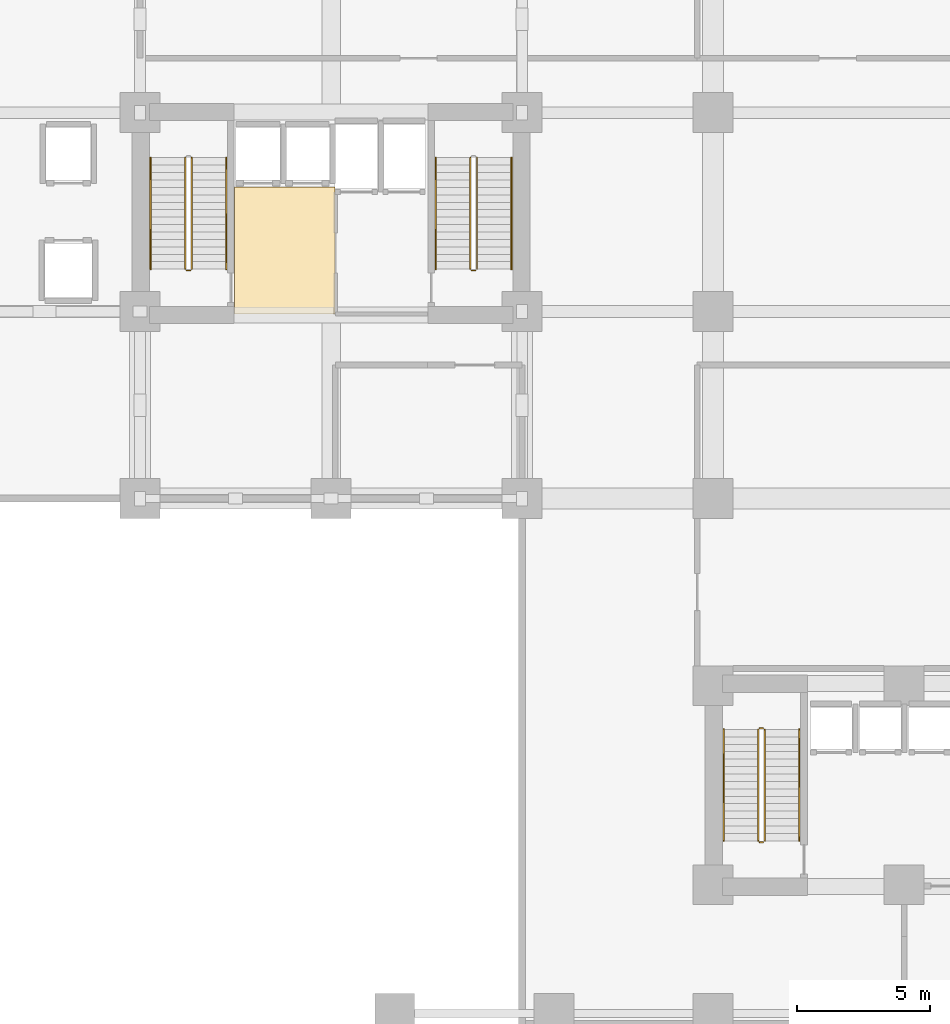
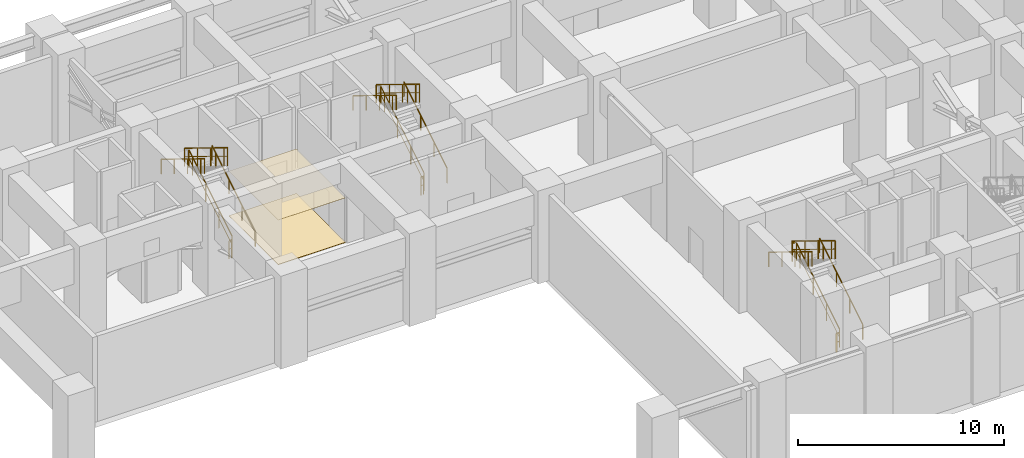
# One storey, part 7 of 9: 16 railings, 2 coverings.
"""IFC4 building model written with IfcOpenShell, lengths in metres."""

from ifc_helpers import new_model, si_unit, direction, frame, origin, origin_2d, place, context, subcontext, project, spatial, rectangle, extrude, source, transform, mapped, material, layer, layer_set, type_object, element, save


model = new_model("IFC4")

# Units and contexts
model_context = context("Model", 3, precision=1e-05, world=origin(), true_north=direction((0.0, 1.0)))
body_context = subcontext(model_context, "Body", "Model", "MODEL_VIEW")
ifc_project = project(units=[si_unit("LENGTHUNIT", "METRE"), si_unit("AREAUNIT", "SQUARE_METRE"), si_unit("VOLUMEUNIT", "CUBIC_METRE"), si_unit("PLANEANGLEUNIT", "RADIAN"), si_unit("MASSUNIT", "GRAM", prefix="KILO")], contexts=[model_context])

# Site, building, storey
site_placement = place(None, origin())
site = spatial("IfcSite", under=ifc_project, at=site_placement, CompositionType="ELEMENT")
building_placement = place(site_placement, origin())
building = spatial("IfcBuilding", under=site, at=building_placement, Name="Kaliganga Portal Commons", CompositionType="ELEMENT")
storey_placement = place(building_placement, frame((0.0, 0.0, 19.800048828125)))
storey = spatial("IfcBuildingStorey", under=building, at=storey_placement, Name="L04", CompositionType="ELEMENT", Elevation=19.800048828125)

# Railings
ifc_material_1 = material(Name="Galvanized Painted Steel Balustrade", Category="steel")
railing_type_1 = type_object("IfcRailingType", Name="RLG-STAIR-GRD", PredefinedType="GUARDRAIL", material=ifc_material_1)
railing_1_placement = place(storey_placement, frame((16.35009765625, 30.25, 0.171875)))
element("IfcRailing", 1, at=railing_1_placement, inside=storey, type_object=railing_type_1, Name="L04 ST-A1 stair guard 1", PredefinedType="GUARDRAIL", context=body_context, shape_type="SweptSolid", body=[
    extrude(rectangle(XDim=0.048095703125, YDim=0.048095703125, at=origin_2d()), frame((0.0, 0.0, 1.07177734375), z_axis=(0.0, 0.852242915053, 0.523146264196), x_axis=(-1.0, 0.0, 0.0)), (0.0, 0.0, 1.0), 4.92822265625),
    extrude(rectangle(XDim=0.028076171875, YDim=0.028076171875, at=origin_2d()), frame((0.0, 0.0, 0.572021484375), z_axis=(0.0, 0.852242915053, 0.523146264196), x_axis=(-1.0, 0.0, 0.0)), (0.0, 0.0, 1.0), 4.92822265625),
    extrude(rectangle(XDim=0.0419921875, YDim=0.0419921875, at=origin_2d()), origin(), (0.0, 0.0, 1.0), 1.052001953125),
    extrude(rectangle(XDim=0.0419921875, YDim=0.0419921875, at=origin_2d()), frame((0.0, 1.2783203125, 0.78466796875)), (0.0, 0.0, 1.0), 1.052001953125),
    extrude(rectangle(XDim=0.0419921875, YDim=0.0419921875, at=origin_2d()), frame((0.0, 2.556640625, 1.5693359375)), (0.0, 0.0, 1.0), 1.052001953125),
    extrude(rectangle(XDim=0.0419921875, YDim=0.0419921875, at=origin_2d()), frame((0.0, 3.835205078125, 2.354248046875)), (0.0, 0.0, 1.0), 1.052001953125),
    extrude(rectangle(XDim=0.0419921875, YDim=0.0419921875, at=origin_2d()), frame((0.0, 4.199951171875, 2.578125)), (0.0, 0.0, 1.0), 1.052001953125),
])
railing_2_placement = place(storey_placement, frame((16.10009765625, 34.449951171875, 2.921875)))
element("IfcRailing", 2, at=railing_2_placement, inside=storey, type_object=railing_type_1, Name="L04 ST-A1 stair guard 3", PredefinedType="GUARDRAIL", context=body_context, shape_type="SweptSolid", body=[
    extrude(rectangle(XDim=0.048095703125, YDim=0.048095703125, at=origin_2d()), frame((0.0, 0.0, 1.07177734375), z_axis=(0.0, -0.852242915053, 0.523146264196), x_axis=(1.0, 0.0, 0.0)), (0.0, 0.0, 1.0), 4.92822265625),
    extrude(rectangle(XDim=0.028076171875, YDim=0.028076171875, at=origin_2d()), frame((0.0, 0.0, 0.572021484375), z_axis=(0.0, -0.852242915053, 0.523146264196), x_axis=(1.0, 0.0, 0.0)), (0.0, 0.0, 1.0), 4.92822265625),
    extrude(rectangle(XDim=0.0419921875, YDim=0.0419921875, at=origin_2d()), origin(), (0.0, 0.0, 1.0), 1.052001953125),
    extrude(rectangle(XDim=0.0419921875, YDim=0.0419921875, at=origin_2d()), frame((0.0, -1.2783203125, 0.78466796875)), (0.0, 0.0, 1.0), 1.052001953125),
    extrude(rectangle(XDim=0.0419921875, YDim=0.0419921875, at=origin_2d()), frame((0.0, -2.556640625, 1.5693359375)), (0.0, 0.0, 1.0), 1.052001953125),
    extrude(rectangle(XDim=0.0419921875, YDim=0.0419921875, at=origin_2d()), frame((0.0, -3.835205078125, 2.354248046875)), (0.0, 0.0, 1.0), 1.052001953125),
    extrude(rectangle(XDim=0.0419921875, YDim=0.0419921875, at=origin_2d()), frame((0.0, -4.199951171875, 2.578125)), (0.0, 0.0, 1.0), 1.052001953125),
])
railing_3_placement = place(storey_placement, frame((16.300048828125, 30.199951171875, 0.0)))
element("IfcRailing", 3, at=railing_3_placement, inside=storey, type_object=railing_type_1, Name="L04 ST-A1 stair guard 4", PredefinedType="GUARDRAIL", context=body_context, shape_type="SweptSolid", body=[
    extrude(rectangle(XDim=0.048095703125, YDim=0.048095703125, at=origin_2d()), frame((0.0, 0.0, 1.076171875), z_axis=(-1.0, 0.0, 0.0), x_axis=(0.0, -1.0, 0.0)), (0.0, 0.0, 1.0), 0.150146484375),
    extrude(rectangle(XDim=0.028076171875, YDim=0.028076171875, at=origin_2d()), frame((0.0, 0.0, 0.572021484375), z_axis=(-1.0, 0.0, 0.0), x_axis=(0.0, -1.0, 0.0)), (0.0, 0.0, 1.0), 0.150146484375),
    extrude(rectangle(XDim=0.0419921875, YDim=0.0419921875, at=origin_2d()), origin(), (0.0, 0.0, 1.0), 1.052001953125),
    extrude(rectangle(XDim=0.0419921875, YDim=0.0419921875, at=origin_2d()), frame((-0.150146484375, 0.0, 0.0)), (0.0, 0.0, 1.0), 1.052001953125),
])
railing_4_placement = place(storey_placement, frame((27.10009765625, 30.25, 0.171875)))
element("IfcRailing", 4, at=railing_4_placement, inside=storey, type_object=railing_type_1, Name="L04 ST-A2 stair guard 1", PredefinedType="GUARDRAIL", context=body_context, shape_type="SweptSolid", body=[
    extrude(rectangle(XDim=0.048095703125, YDim=0.048095703125, at=origin_2d()), frame((0.0, 0.0, 1.07177734375), z_axis=(0.0, 0.852242915053, 0.523146264196), x_axis=(-1.0, 0.0, 0.0)), (0.0, 0.0, 1.0), 4.92822265625),
    extrude(rectangle(XDim=0.028076171875, YDim=0.028076171875, at=origin_2d()), frame((0.0, 0.0, 0.572021484375), z_axis=(0.0, 0.852242915053, 0.523146264196), x_axis=(-1.0, 0.0, 0.0)), (0.0, 0.0, 1.0), 4.92822265625),
    extrude(rectangle(XDim=0.0419921875, YDim=0.0419921875, at=origin_2d()), origin(), (0.0, 0.0, 1.0), 1.052001953125),
    extrude(rectangle(XDim=0.0419921875, YDim=0.0419921875, at=origin_2d()), frame((0.0, 1.2783203125, 0.78466796875)), (0.0, 0.0, 1.0), 1.052001953125),
    extrude(rectangle(XDim=0.0419921875, YDim=0.0419921875, at=origin_2d()), frame((0.0, 2.556640625, 1.5693359375)), (0.0, 0.0, 1.0), 1.052001953125),
    extrude(rectangle(XDim=0.0419921875, YDim=0.0419921875, at=origin_2d()), frame((0.0, 3.835205078125, 2.354248046875)), (0.0, 0.0, 1.0), 1.052001953125),
    extrude(rectangle(XDim=0.0419921875, YDim=0.0419921875, at=origin_2d()), frame((0.0, 4.199951171875, 2.578125)), (0.0, 0.0, 1.0), 1.052001953125),
])
railing_5_placement = place(storey_placement, frame((26.85009765625, 34.449951171875, 2.921875)))
element("IfcRailing", 5, at=railing_5_placement, inside=storey, type_object=railing_type_1, Name="L04 ST-A2 stair guard 3", PredefinedType="GUARDRAIL", context=body_context, shape_type="SweptSolid", body=[
    extrude(rectangle(XDim=0.048095703125, YDim=0.048095703125, at=origin_2d()), frame((0.0, 0.0, 1.07177734375), z_axis=(0.0, -0.852242915053, 0.523146264196), x_axis=(1.0, 0.0, 0.0)), (0.0, 0.0, 1.0), 4.92822265625),
    extrude(rectangle(XDim=0.028076171875, YDim=0.028076171875, at=origin_2d()), frame((0.0, 0.0, 0.572021484375), z_axis=(0.0, -0.852242915053, 0.523146264196), x_axis=(1.0, 0.0, 0.0)), (0.0, 0.0, 1.0), 4.92822265625),
    extrude(rectangle(XDim=0.0419921875, YDim=0.0419921875, at=origin_2d()), origin(), (0.0, 0.0, 1.0), 1.052001953125),
    extrude(rectangle(XDim=0.0419921875, YDim=0.0419921875, at=origin_2d()), frame((0.0, -1.2783203125, 0.78466796875)), (0.0, 0.0, 1.0), 1.052001953125),
    extrude(rectangle(XDim=0.0419921875, YDim=0.0419921875, at=origin_2d()), frame((0.0, -2.556640625, 1.5693359375)), (0.0, 0.0, 1.0), 1.052001953125),
    extrude(rectangle(XDim=0.0419921875, YDim=0.0419921875, at=origin_2d()), frame((0.0, -3.835205078125, 2.354248046875)), (0.0, 0.0, 1.0), 1.052001953125),
    extrude(rectangle(XDim=0.0419921875, YDim=0.0419921875, at=origin_2d()), frame((0.0, -4.199951171875, 2.578125)), (0.0, 0.0, 1.0), 1.052001953125),
])
railing_6_placement = place(storey_placement, frame((27.050048828125, 30.199951171875, 0.0)))
element("IfcRailing", 6, at=railing_6_placement, inside=storey, type_object=railing_type_1, Name="L04 ST-A2 stair guard 4", PredefinedType="GUARDRAIL", context=body_context, shape_type="SweptSolid", body=[
    extrude(rectangle(XDim=0.048095703125, YDim=0.048095703125, at=origin_2d()), frame((0.0, 0.0, 1.076171875), z_axis=(-1.0, 0.0, 0.0), x_axis=(0.0, -1.0, 0.0)), (0.0, 0.0, 1.0), 0.150146484375),
    extrude(rectangle(XDim=0.028076171875, YDim=0.028076171875, at=origin_2d()), frame((0.0, 0.0, 0.572021484375), z_axis=(-1.0, 0.0, 0.0), x_axis=(0.0, -1.0, 0.0)), (0.0, 0.0, 1.0), 0.150146484375),
    extrude(rectangle(XDim=0.0419921875, YDim=0.0419921875, at=origin_2d()), origin(), (0.0, 0.0, 1.0), 1.052001953125),
    extrude(rectangle(XDim=0.0419921875, YDim=0.0419921875, at=origin_2d()), frame((-0.150146484375, 0.0, 0.0)), (0.0, 0.0, 1.0), 1.052001953125),
])
railing_7_placement = place(storey_placement, frame((37.949951171875, 8.699951171875, 0.171875)))
element("IfcRailing", 7, at=railing_7_placement, inside=storey, type_object=railing_type_1, Name="L04 ST-B1 stair guard 1", PredefinedType="GUARDRAIL", context=body_context, shape_type="SweptSolid", body=[
    extrude(rectangle(XDim=0.048095703125, YDim=0.048095703125, at=origin_2d()), frame((0.0, 0.0, 1.07177734375), z_axis=(0.0, 0.852242915053, 0.523146264196), x_axis=(-1.0, 0.0, 0.0)), (0.0, 0.0, 1.0), 4.92822265625),
    extrude(rectangle(XDim=0.028076171875, YDim=0.028076171875, at=origin_2d()), frame((0.0, 0.0, 0.572021484375), z_axis=(0.0, 0.852242915053, 0.523146264196), x_axis=(-1.0, 0.0, 0.0)), (0.0, 0.0, 1.0), 4.92822265625),
    extrude(rectangle(XDim=0.0419921875, YDim=0.0419921875, at=origin_2d()), origin(), (0.0, 0.0, 1.0), 1.052001953125),
    extrude(rectangle(XDim=0.0419921875, YDim=0.0419921875, at=origin_2d()), frame((0.0, 1.2783203125, 0.78466796875)), (0.0, 0.0, 1.0), 1.052001953125),
    extrude(rectangle(XDim=0.0419921875, YDim=0.0419921875, at=origin_2d()), frame((0.0, 2.556640625, 1.5693359375)), (0.0, 0.0, 1.0), 1.052001953125),
    extrude(rectangle(XDim=0.0419921875, YDim=0.0419921875, at=origin_2d()), frame((0.0, 3.835205078125, 2.354248046875)), (0.0, 0.0, 1.0), 1.052001953125),
    extrude(rectangle(XDim=0.0419921875, YDim=0.0419921875, at=origin_2d()), frame((0.0, 4.199951171875, 2.578125)), (0.0, 0.0, 1.0), 1.052001953125),
])
railing_8_placement = place(storey_placement, frame((37.89990234375, 12.949951171875, 2.75)))
element("IfcRailing", 8, at=railing_8_placement, inside=storey, type_object=railing_type_1, Name="L04 ST-B1 stair guard 2", PredefinedType="GUARDRAIL", context=body_context, shape_type="SweptSolid", body=[
    extrude(rectangle(XDim=0.048095703125, YDim=0.048095703125, at=origin_2d()), frame((0.0, 0.0, 1.076171875), z_axis=(-1.0, 0.0, 0.0), x_axis=(0.0, -1.0, 0.0)), (0.0, 0.0, 1.0), 0.14990234375),
    extrude(rectangle(XDim=0.028076171875, YDim=0.028076171875, at=origin_2d()), frame((0.0, 0.0, 0.572021484375), z_axis=(-1.0, 0.0, 0.0), x_axis=(0.0, -1.0, 0.0)), (0.0, 0.0, 1.0), 0.14990234375),
    extrude(rectangle(XDim=0.0419921875, YDim=0.0419921875, at=origin_2d()), frame((-0.14990234375, 0.0, 0.0)), (0.0, 0.0, 1.0), 1.052001953125),
])
railing_9_placement = place(storey_placement, frame((37.699951171875, 12.89990234375, 2.921875)))
element("IfcRailing", 9, at=railing_9_placement, inside=storey, type_object=railing_type_1, Name="L04 ST-B1 stair guard 3", PredefinedType="GUARDRAIL", context=body_context, shape_type="SweptSolid", body=[
    extrude(rectangle(XDim=0.048095703125, YDim=0.048095703125, at=origin_2d()), frame((0.0, 0.0, 1.07177734375), z_axis=(0.0, -0.852242915053, 0.523146264196), x_axis=(1.0, 0.0, 0.0)), (0.0, 0.0, 1.0), 4.92822265625),
    extrude(rectangle(XDim=0.028076171875, YDim=0.028076171875, at=origin_2d()), frame((0.0, 0.0, 0.572021484375), z_axis=(0.0, -0.852242915053, 0.523146264196), x_axis=(1.0, 0.0, 0.0)), (0.0, 0.0, 1.0), 4.92822265625),
    extrude(rectangle(XDim=0.0419921875, YDim=0.0419921875, at=origin_2d()), origin(), (0.0, 0.0, 1.0), 1.052001953125),
    extrude(rectangle(XDim=0.0419921875, YDim=0.0419921875, at=origin_2d()), frame((0.0, -1.2783203125, 0.78466796875)), (0.0, 0.0, 1.0), 1.052001953125),
    extrude(rectangle(XDim=0.0419921875, YDim=0.0419921875, at=origin_2d()), frame((0.0, -2.556640625, 1.5693359375)), (0.0, 0.0, 1.0), 1.052001953125),
    extrude(rectangle(XDim=0.0419921875, YDim=0.0419921875, at=origin_2d()), frame((0.0, -3.835205078125, 2.354248046875)), (0.0, 0.0, 1.0), 1.052001953125),
    extrude(rectangle(XDim=0.0419921875, YDim=0.0419921875, at=origin_2d()), frame((0.0, -4.199951171875, 2.578125)), (0.0, 0.0, 1.0), 1.052001953125),
])
railing_10_placement = place(storey_placement, frame((37.89990234375, 8.64990234375, 0.0)))
element("IfcRailing", 10, at=railing_10_placement, inside=storey, type_object=railing_type_1, Name="L04 ST-B1 stair guard 4", PredefinedType="GUARDRAIL", context=body_context, shape_type="SweptSolid", body=[
    extrude(rectangle(XDim=0.048095703125, YDim=0.048095703125, at=origin_2d()), frame((0.0, 0.0, 1.076171875), z_axis=(-1.0, 0.0, 0.0), x_axis=(0.0, -1.0, 0.0)), (0.0, 0.0, 1.0), 0.14990234375),
    extrude(rectangle(XDim=0.028076171875, YDim=0.028076171875, at=origin_2d()), frame((0.0, 0.0, 0.572021484375), z_axis=(-1.0, 0.0, 0.0), x_axis=(0.0, -1.0, 0.0)), (0.0, 0.0, 1.0), 0.14990234375),
    extrude(rectangle(XDim=0.0419921875, YDim=0.0419921875, at=origin_2d()), frame((-0.14990234375, 0.0, 0.0)), (0.0, 0.0, 1.0), 1.052001953125),
])
ifc_material_2 = material(Name="Brushed Stainless Steel 316", Category="steel")
railing_type_2 = type_object("IfcRailingType", Name="RLG-STAIR-HR", PredefinedType="HANDRAIL", material=ifc_material_2)
railing_11_placement = place(storey_placement, frame((17.64990234375, 30.25, 0.171875)))
element("IfcRailing", 11, at=railing_11_placement, inside=storey, type_object=railing_type_2, Name="L04 ST-A1 stair handrail 1", PredefinedType="HANDRAIL", context=body_context, shape_type="SweptSolid", body=[
    extrude(rectangle(XDim=0.048095703125, YDim=0.048095703125, at=origin_2d()), frame((0.0, 0.0, 0.87158203125), z_axis=(0.0, 0.852242915053, 0.523146264196), x_axis=(-1.0, 0.0, 0.0)), (0.0, 0.0, 1.0), 4.92822265625),
    extrude(rectangle(XDim=0.0419921875, YDim=0.0419921875, at=origin_2d()), origin(), (0.0, 0.0, 1.0), 0.851806640625),
    extrude(rectangle(XDim=0.0419921875, YDim=0.0419921875, at=origin_2d()), frame((0.0, 1.2783203125, 0.78466796875)), (0.0, 0.0, 1.0), 0.851806640625),
    extrude(rectangle(XDim=0.0419921875, YDim=0.0419921875, at=origin_2d()), frame((0.0, 2.556640625, 1.5693359375)), (0.0, 0.0, 1.0), 0.851806640625),
    extrude(rectangle(XDim=0.0419921875, YDim=0.0419921875, at=origin_2d()), frame((0.0, 3.835205078125, 2.354248046875)), (0.0, 0.0, 1.0), 0.851806640625),
    extrude(rectangle(XDim=0.0419921875, YDim=0.0419921875, at=origin_2d()), frame((0.0, 4.199951171875, 2.578125)), (0.0, 0.0, 1.0), 0.851806640625),
])
railing_12_placement = place(storey_placement, frame((14.800048828125, 34.449951171875, 2.921875)))
element("IfcRailing", 12, at=railing_12_placement, inside=storey, type_object=railing_type_2, Name="L04 ST-A1 stair handrail 2", PredefinedType="HANDRAIL", context=body_context, shape_type="SweptSolid", body=[
    extrude(rectangle(XDim=0.048095703125, YDim=0.048095703125, at=origin_2d()), frame((0.0, 0.0, 0.87158203125), z_axis=(0.0, -0.852242915053, 0.523146264196), x_axis=(1.0, 0.0, 0.0)), (0.0, 0.0, 1.0), 4.92822265625),
    extrude(rectangle(XDim=0.0419921875, YDim=0.0419921875, at=origin_2d()), origin(), (0.0, 0.0, 1.0), 0.851806640625),
    extrude(rectangle(XDim=0.0419921875, YDim=0.0419921875, at=origin_2d()), frame((0.0, -1.2783203125, 0.78466796875)), (0.0, 0.0, 1.0), 0.851806640625),
    extrude(rectangle(XDim=0.0419921875, YDim=0.0419921875, at=origin_2d()), frame((0.0, -2.556640625, 1.5693359375)), (0.0, 0.0, 1.0), 0.851806640625),
    extrude(rectangle(XDim=0.0419921875, YDim=0.0419921875, at=origin_2d()), frame((0.0, -3.835205078125, 2.354248046875)), (0.0, 0.0, 1.0), 0.851806640625),
    extrude(rectangle(XDim=0.0419921875, YDim=0.0419921875, at=origin_2d()), frame((0.0, -4.199951171875, 2.578125)), (0.0, 0.0, 1.0), 0.851806640625),
])
railing_13_placement = place(storey_placement, frame((28.39990234375, 30.25, 0.171875)))
element("IfcRailing", 13, at=railing_13_placement, inside=storey, type_object=railing_type_2, Name="L04 ST-A2 stair handrail 1", PredefinedType="HANDRAIL", context=body_context, shape_type="SweptSolid", body=[
    extrude(rectangle(XDim=0.048095703125, YDim=0.048095703125, at=origin_2d()), frame((0.0, 0.0, 0.87158203125), z_axis=(0.0, 0.852242915053, 0.523146264196), x_axis=(-1.0, 0.0, 0.0)), (0.0, 0.0, 1.0), 4.92822265625),
    extrude(rectangle(XDim=0.0419921875, YDim=0.0419921875, at=origin_2d()), origin(), (0.0, 0.0, 1.0), 0.851806640625),
    extrude(rectangle(XDim=0.0419921875, YDim=0.0419921875, at=origin_2d()), frame((0.0, 1.2783203125, 0.78466796875)), (0.0, 0.0, 1.0), 0.851806640625),
    extrude(rectangle(XDim=0.0419921875, YDim=0.0419921875, at=origin_2d()), frame((0.0, 2.556640625, 1.5693359375)), (0.0, 0.0, 1.0), 0.851806640625),
    extrude(rectangle(XDim=0.0419921875, YDim=0.0419921875, at=origin_2d()), frame((0.0, 3.835205078125, 2.354248046875)), (0.0, 0.0, 1.0), 0.851806640625),
    extrude(rectangle(XDim=0.0419921875, YDim=0.0419921875, at=origin_2d()), frame((0.0, 4.199951171875, 2.578125)), (0.0, 0.0, 1.0), 0.851806640625),
])
railing_14_placement = place(storey_placement, frame((25.550048828125, 34.449951171875, 2.921875)))
element("IfcRailing", 14, at=railing_14_placement, inside=storey, type_object=railing_type_2, Name="L04 ST-A2 stair handrail 2", PredefinedType="HANDRAIL", context=body_context, shape_type="SweptSolid", body=[
    extrude(rectangle(XDim=0.048095703125, YDim=0.048095703125, at=origin_2d()), frame((0.0, 0.0, 0.87158203125), z_axis=(0.0, -0.852242915053, 0.523146264196), x_axis=(1.0, 0.0, 0.0)), (0.0, 0.0, 1.0), 4.92822265625),
    extrude(rectangle(XDim=0.0419921875, YDim=0.0419921875, at=origin_2d()), origin(), (0.0, 0.0, 1.0), 0.851806640625),
    extrude(rectangle(XDim=0.0419921875, YDim=0.0419921875, at=origin_2d()), frame((0.0, -1.2783203125, 0.78466796875)), (0.0, 0.0, 1.0), 0.851806640625),
    extrude(rectangle(XDim=0.0419921875, YDim=0.0419921875, at=origin_2d()), frame((0.0, -2.556640625, 1.5693359375)), (0.0, 0.0, 1.0), 0.851806640625),
    extrude(rectangle(XDim=0.0419921875, YDim=0.0419921875, at=origin_2d()), frame((0.0, -3.835205078125, 2.354248046875)), (0.0, 0.0, 1.0), 0.851806640625),
    extrude(rectangle(XDim=0.0419921875, YDim=0.0419921875, at=origin_2d()), frame((0.0, -4.199951171875, 2.578125)), (0.0, 0.0, 1.0), 0.851806640625),
])
railing_15_placement = place(storey_placement, frame((39.25, 8.699951171875, 0.171875)))
element("IfcRailing", 15, at=railing_15_placement, inside=storey, type_object=railing_type_2, Name="L04 ST-B1 stair handrail 1", PredefinedType="HANDRAIL", context=body_context, shape_type="SweptSolid", body=[
    extrude(rectangle(XDim=0.048095703125, YDim=0.048095703125, at=origin_2d()), frame((0.0, 0.0, 0.87158203125), z_axis=(0.0, 0.852242915053, 0.523146264196), x_axis=(-1.0, 0.0, 0.0)), (0.0, 0.0, 1.0), 4.92822265625),
    extrude(rectangle(XDim=0.0419921875, YDim=0.0419921875, at=origin_2d()), origin(), (0.0, 0.0, 1.0), 0.851806640625),
    extrude(rectangle(XDim=0.0419921875, YDim=0.0419921875, at=origin_2d()), frame((0.0, 1.2783203125, 0.78466796875)), (0.0, 0.0, 1.0), 0.851806640625),
    extrude(rectangle(XDim=0.0419921875, YDim=0.0419921875, at=origin_2d()), frame((0.0, 2.556640625, 1.5693359375)), (0.0, 0.0, 1.0), 0.851806640625),
    extrude(rectangle(XDim=0.0419921875, YDim=0.0419921875, at=origin_2d()), frame((0.0, 3.835205078125, 2.354248046875)), (0.0, 0.0, 1.0), 0.851806640625),
    extrude(rectangle(XDim=0.0419921875, YDim=0.0419921875, at=origin_2d()), frame((0.0, 4.199951171875, 2.578125)), (0.0, 0.0, 1.0), 0.851806640625),
])
railing_16_placement = place(storey_placement, frame((36.39990234375, 12.89990234375, 2.921875)))
element("IfcRailing", 16, at=railing_16_placement, inside=storey, type_object=railing_type_2, Name="L04 ST-B1 stair handrail 2", PredefinedType="HANDRAIL", context=body_context, shape_type="SweptSolid", body=[
    extrude(rectangle(XDim=0.048095703125, YDim=0.048095703125, at=origin_2d()), frame((0.0, 0.0, 0.87158203125), z_axis=(0.0, -0.852242915053, 0.523146264196), x_axis=(1.0, 0.0, 0.0)), (0.0, 0.0, 1.0), 4.92822265625),
    extrude(rectangle(XDim=0.0419921875, YDim=0.0419921875, at=origin_2d()), origin(), (0.0, 0.0, 1.0), 0.851806640625),
    extrude(rectangle(XDim=0.0419921875, YDim=0.0419921875, at=origin_2d()), frame((0.0, -1.2783203125, 0.78466796875)), (0.0, 0.0, 1.0), 0.851806640625),
    extrude(rectangle(XDim=0.0419921875, YDim=0.0419921875, at=origin_2d()), frame((0.0, -2.556640625, 1.5693359375)), (0.0, 0.0, 1.0), 0.851806640625),
    extrude(rectangle(XDim=0.0419921875, YDim=0.0419921875, at=origin_2d()), frame((0.0, -3.835205078125, 2.354248046875)), (0.0, 0.0, 1.0), 0.851806640625),
    extrude(rectangle(XDim=0.0419921875, YDim=0.0419921875, at=origin_2d()), frame((0.0, -4.199951171875, 2.578125)), (0.0, 0.0, 1.0), 0.851806640625),
])

# Coverings
ifc_material_3 = material(Name="Acoustic Micro-Perforated Gypsum Ceiling", Category="gypsum")
ifc_layer_1 = layer(ifc_material_3, 0.02001953125)
ifc_layer_set_1 = layer_set([ifc_layer_1], Name="Acoustic Micro-Perforated Gypsum Ceiling")
covering_type_1 = type_object("IfcCoveringType", Name="COV-CEIL-GYP", PredefinedType="CEILING", material=ifc_layer_set_1)
shared_shape_1 = source(origin(), body_context, "Body", "SweptSolid", [
    extrude(rectangle(XDim=3.780029296875, YDim=4.780029296875, at=origin_2d()), origin(), (0.0, 0.0, 1.0), 0.02001953125),
])
covering_1_placement = place(storey_placement, frame((19.85009765625, 30.949951171875, 2.639892578125), z_axis=(0.0, 0.0, 1.0), x_axis=(1.0, 0.0, 0.0)))
element("IfcCovering", 17, at=covering_1_placement, inside=storey, type_object=covering_type_1, Name="Acoustic Ceiling L04 PLOB_A", PredefinedType="CEILING", context=body_context, shape_type="MappedRepresentation", body=[
    mapped(shared_shape_1, transform((0.0, 0.0, 0.0), x_axis=(1.0, 0.0, 0.0), y_axis=(0.0, 1.0, 0.0), z_axis=(0.0, 0.0, 1.0), scale=1.0)),
])
ifc_material_4 = material(Name="Polished Sylhet Stone Terrazzo Flooring", Category="masonry")
ifc_layer_2 = layer(ifc_material_4, 0.02490234375)
ifc_layer_set_2 = layer_set([ifc_layer_2], Name="Polished Sylhet Stone Terrazzo Flooring")
covering_type_2 = type_object("IfcCoveringType", Name="COV-FLR-TERRAZZO", PredefinedType="FLOORING", material=ifc_layer_set_2)
shared_shape_2 = source(origin(), body_context, "Body", "SweptSolid", [
    extrude(rectangle(XDim=3.780029296875, YDim=4.780029296875, at=origin_2d()), origin(), (0.0, 0.0, 1.0), 0.02490234375),
])
covering_2_placement = place(storey_placement, frame((19.85009765625, 30.949951171875, 0.00048828125), z_axis=(0.0, 0.0, 1.0), x_axis=(1.0, 0.0, 0.0)))
element("IfcCovering", 18, at=covering_2_placement, inside=storey, type_object=covering_type_2, Name="Terrazzo Flooring L04 PLOB_A", PredefinedType="FLOORING", context=body_context, shape_type="MappedRepresentation", body=[
    mapped(shared_shape_2, transform((0.0, 0.0, 0.0), x_axis=(1.0, 0.0, 0.0), y_axis=(0.0, 1.0, 0.0), z_axis=(0.0, 0.0, 1.0), scale=1.0)),
])

save(model, "model.ifc")
